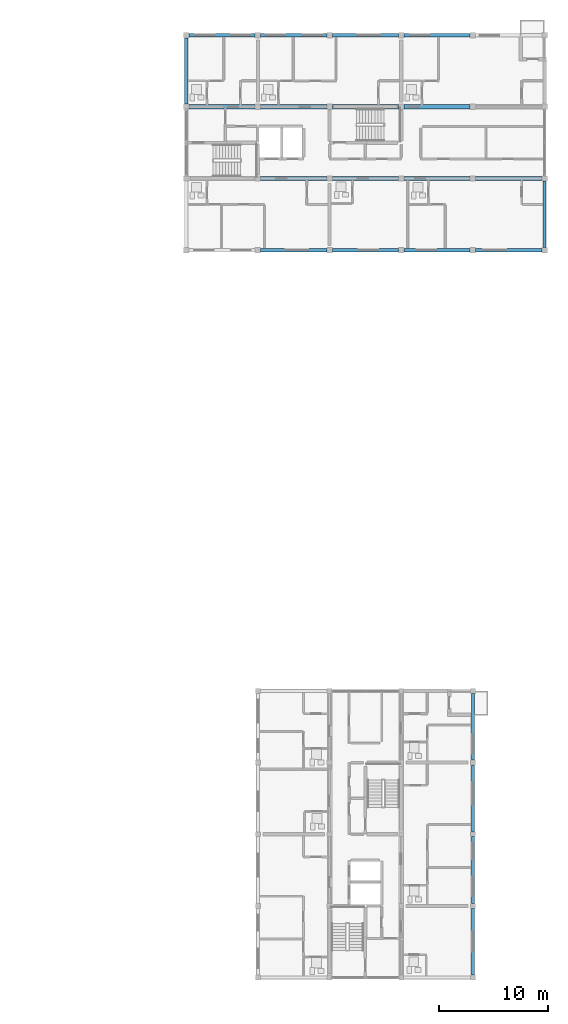
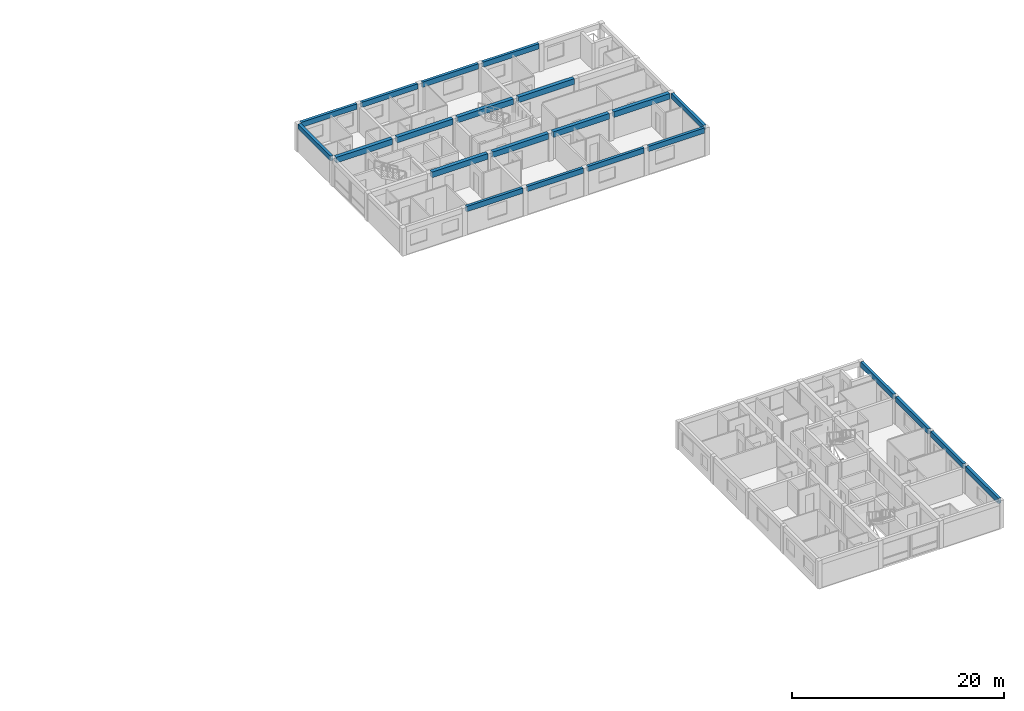
# One storey, part 20 of 45: 22 beams.
"""IFC4 building model written with IfcOpenShell, lengths in metres."""

from ifc_helpers import new_model, si_unit, direction, frame, origin, origin_2d, place, context, subcontext, project, spatial, rectangle, extrude, material, material_profile, profile_set, type_object, element, save


model = new_model("IFC4")

# Units and contexts
model_context = context("Model", 3, precision=1e-05, world=origin(), true_north=direction((0.0, 1.0)))
body_context = subcontext(model_context, "Body", "Model", "MODEL_VIEW")
ifc_project = project(units=[si_unit("LENGTHUNIT", "METRE"), si_unit("AREAUNIT", "SQUARE_METRE"), si_unit("VOLUMEUNIT", "CUBIC_METRE"), si_unit("PLANEANGLEUNIT", "RADIAN"), si_unit("MASSUNIT", "GRAM", prefix="KILO")], contexts=[model_context])

# Site, building, storey
site_placement = place(None, origin())
site = spatial("IfcSite", under=ifc_project, at=site_placement, CompositionType="ELEMENT")
building_placement = place(site_placement, origin())
building = spatial("IfcBuilding", under=site, at=building_placement, Name="Kernevlak Ridge Housing Community", CompositionType="ELEMENT")
storey_placement = place(building_placement, frame((0.0, 0.0, 21.199951171875)))
storey = spatial("IfcBuildingStorey", under=building, at=storey_placement, Name="L06", CompositionType="ELEMENT", Elevation=21.199951171875)

# Beams
ifc_material = material(Name="Concrete C35/45", Category="concrete")
ifc_material_profile_1 = material_profile(ifc_material, rectangle(XDim=0.39990234375, YDim=0.64990234375, at=origin_2d()), Name="RC 400x650")
ifc_profile_set_1 = profile_set([ifc_material_profile_1], Name="Concrete C35/45")
beam_type_1 = type_object("IfcBeamType", Name="B-03", PredefinedType="T_BEAM", material=ifc_profile_set_1)
beam_1_placement = place(storey_placement, frame((126.25, 89.199951171875, 2.875), z_axis=(1.0, 0.0, 0.0), x_axis=(0.0, 1.0, 0.0)))
element("IfcBeam", 1, at=beam_1_placement, inside=storey, type_object=beam_type_1, Name="Beam B-03 L06 739", PredefinedType="T_BEAM", context=body_context, shape_type="SweptSolid", body=[
    extrude(rectangle(XDim=0.39990234375, YDim=0.64990234375, at=origin_2d()), origin(), (0.0, 0.0, 1.0), 6.10009765625),
])
beam_2_placement = place(storey_placement, frame((132.85009765625, 89.199951171875, 2.875), z_axis=(1.0, 0.0, 0.0), x_axis=(0.0, 1.0, 0.0)))
element("IfcBeam", 2, at=beam_2_placement, inside=storey, type_object=beam_type_1, Name="Beam B-03 L06 740", PredefinedType="T_BEAM", context=body_context, shape_type="SweptSolid", body=[
    extrude(rectangle(XDim=0.39990234375, YDim=0.64990234375, at=origin_2d()), origin(), (0.0, 0.0, 1.0), 6.099853515625),
])
beam_3_placement = place(storey_placement, frame((139.449951171875, 89.199951171875, 2.875), z_axis=(1.0, 0.0, 0.0), x_axis=(0.0, 1.0, 0.0)))
element("IfcBeam", 3, at=beam_3_placement, inside=storey, type_object=beam_type_1, Name="Beam B-03 L06 741", PredefinedType="T_BEAM", context=body_context, shape_type="SweptSolid", body=[
    extrude(rectangle(XDim=0.39990234375, YDim=0.64990234375, at=origin_2d()), origin(), (0.0, 0.0, 1.0), 6.10009765625),
])
beam_4_placement = place(storey_placement, frame((146.050048828125, 89.199951171875, 2.875), z_axis=(1.0, 0.0, 0.0), x_axis=(0.0, 1.0, 0.0)))
element("IfcBeam", 4, at=beam_4_placement, inside=storey, type_object=beam_type_1, Name="Beam B-03 L06 742", PredefinedType="T_BEAM", context=body_context, shape_type="SweptSolid", body=[
    extrude(rectangle(XDim=0.39990234375, YDim=0.64990234375, at=origin_2d()), origin(), (0.0, 0.0, 1.0), 6.099853515625),
])
for number, where, z_axis, x_axis, name in (
    (5, (119.64990234375, 95.800048828125, 2.875), (1.0, 0.0, 0.0), (0.0, 1.0, 0.0), "Beam B-03 L06 743"),
    (6, (126.25, 95.800048828125, 2.875), (1.0, 0.0, 0.0), (0.0, 1.0, 0.0), "Beam B-03 L06 744"),
):
    element("IfcBeam", number, at=place(storey_placement, frame(where, z_axis=z_axis, x_axis=x_axis)), inside=storey, type_object=beam_type_1, Name=name, PredefinedType="T_BEAM", context=body_context, shape_type="SweptSolid", body=[
        extrude(rectangle(XDim=0.39990234375, YDim=0.64990234375, at=origin_2d()), origin(), (0.0, 0.0, 1.0), 6.10009765625),
    ])
beam_5_placement = place(storey_placement, frame((132.85009765625, 95.800048828125, 2.875), z_axis=(1.0, 0.0, 0.0), x_axis=(0.0, 1.0, 0.0)))
element("IfcBeam", 7, at=beam_5_placement, inside=storey, type_object=beam_type_1, Name="Beam B-03 L06 745", PredefinedType="T_BEAM", context=body_context, shape_type="SweptSolid", body=[
    extrude(rectangle(XDim=0.39990234375, YDim=0.64990234375, at=origin_2d()), origin(), (0.0, 0.0, 1.0), 6.099853515625),
])
beam_6_placement = place(storey_placement, frame((139.449951171875, 95.800048828125, 2.875), z_axis=(1.0, 0.0, 0.0), x_axis=(0.0, 1.0, 0.0)))
element("IfcBeam", 8, at=beam_6_placement, inside=storey, type_object=beam_type_1, Name="Beam B-03 L06 746", PredefinedType="T_BEAM", context=body_context, shape_type="SweptSolid", body=[
    extrude(rectangle(XDim=0.39990234375, YDim=0.64990234375, at=origin_2d()), origin(), (0.0, 0.0, 1.0), 6.10009765625),
])
ifc_material_profile_2 = material_profile(ifc_material, rectangle(XDim=0.300048828125, YDim=0.550048828125, at=origin_2d()), Name="RC 300x550")
ifc_profile_set_2 = profile_set([ifc_material_profile_2], Name="Concrete C35/45")
beam_type_2 = type_object("IfcBeamType", Name="SP-01", PredefinedType="SPANDREL", material=ifc_profile_set_2)
for number, where, z_axis, x_axis, name in (
    (9, (119.39990234375, 96.050048828125, 2.925048828125), (0.0, 1.0, 0.0), (-1.0, 0.0, 0.0), "Beam SP-01 L06 755"),
    (10, (152.39990234375, 82.85009765625, 2.925048828125), (0.0, 1.0, 0.0), (-1.0, 0.0, 0.0), "Beam SP-01 L06 756"),
):
    element("IfcBeam", number, at=place(storey_placement, frame(where, z_axis=z_axis, x_axis=x_axis)), inside=storey, type_object=beam_type_2, Name=name, PredefinedType="SPANDREL", context=body_context, shape_type="SweptSolid", body=[
        extrude(rectangle(XDim=0.300048828125, YDim=0.550048828125, at=origin_2d()), origin(), (0.0, 0.0, 1.0), 6.099853515625),
    ])
ifc_material_profile_3 = material_profile(ifc_material, rectangle(XDim=0.300048828125, YDim=0.60009765625, at=origin_2d()), Name="RC 300x600")
ifc_profile_set_3 = profile_set([ifc_material_profile_3], Name="Concrete C35/45")
beam_type_3 = type_object("IfcBeamType", Name="SP-02", PredefinedType="SPANDREL", material=ifc_profile_set_3)
beam_7_placement = place(storey_placement, frame((126.25, 82.60009765625, 2.900146484375), z_axis=(1.0, 0.0, 0.0), x_axis=(0.0, 1.0, 0.0)))
element("IfcBeam", 11, at=beam_7_placement, inside=storey, type_object=beam_type_3, Name="Beam SP-02 L06 734", PredefinedType="SPANDREL", context=body_context, shape_type="SweptSolid", body=[
    extrude(rectangle(XDim=0.300048828125, YDim=0.60009765625, at=origin_2d()), origin(), (0.0, 0.0, 1.0), 6.10009765625),
])
beam_8_placement = place(storey_placement, frame((132.85009765625, 82.60009765625, 2.900146484375), z_axis=(1.0, 0.0, 0.0), x_axis=(0.0, 1.0, 0.0)))
element("IfcBeam", 12, at=beam_8_placement, inside=storey, type_object=beam_type_3, Name="Beam SP-02 L06 735", PredefinedType="SPANDREL", context=body_context, shape_type="SweptSolid", body=[
    extrude(rectangle(XDim=0.300048828125, YDim=0.60009765625, at=origin_2d()), origin(), (0.0, 0.0, 1.0), 6.099853515625),
])
beam_9_placement = place(storey_placement, frame((139.449951171875, 82.60009765625, 2.900146484375), z_axis=(1.0, 0.0, 0.0), x_axis=(0.0, 1.0, 0.0)))
element("IfcBeam", 13, at=beam_9_placement, inside=storey, type_object=beam_type_3, Name="Beam SP-02 L06 736", PredefinedType="SPANDREL", context=body_context, shape_type="SweptSolid", body=[
    extrude(rectangle(XDim=0.300048828125, YDim=0.60009765625, at=origin_2d()), origin(), (0.0, 0.0, 1.0), 6.10009765625),
])
beam_10_placement = place(storey_placement, frame((146.050048828125, 82.60009765625, 2.900146484375), z_axis=(1.0, 0.0, 0.0), x_axis=(0.0, 1.0, 0.0)))
element("IfcBeam", 14, at=beam_10_placement, inside=storey, type_object=beam_type_3, Name="Beam SP-02 L06 737", PredefinedType="SPANDREL", context=body_context, shape_type="SweptSolid", body=[
    extrude(rectangle(XDim=0.300048828125, YDim=0.60009765625, at=origin_2d()), origin(), (0.0, 0.0, 1.0), 6.099853515625),
])
for number, where, z_axis, x_axis, name in (
    (15, (119.64990234375, 102.39990234375, 2.900146484375), (1.0, 0.0, 0.0), (0.0, 1.0, 0.0), "Beam SP-02 L06 748"),
    (16, (126.25, 102.39990234375, 2.900146484375), (1.0, 0.0, 0.0), (0.0, 1.0, 0.0), "Beam SP-02 L06 749"),
):
    element("IfcBeam", number, at=place(storey_placement, frame(where, z_axis=z_axis, x_axis=x_axis)), inside=storey, type_object=beam_type_3, Name=name, PredefinedType="SPANDREL", context=body_context, shape_type="SweptSolid", body=[
        extrude(rectangle(XDim=0.300048828125, YDim=0.60009765625, at=origin_2d()), origin(), (0.0, 0.0, 1.0), 6.10009765625),
    ])
beam_11_placement = place(storey_placement, frame((132.85009765625, 102.39990234375, 2.900146484375), z_axis=(1.0, 0.0, 0.0), x_axis=(0.0, 1.0, 0.0)))
element("IfcBeam", 17, at=beam_11_placement, inside=storey, type_object=beam_type_3, Name="Beam SP-02 L06 750", PredefinedType="SPANDREL", context=body_context, shape_type="SweptSolid", body=[
    extrude(rectangle(XDim=0.300048828125, YDim=0.60009765625, at=origin_2d()), origin(), (0.0, 0.0, 1.0), 6.099853515625),
])
beam_12_placement = place(storey_placement, frame((139.449951171875, 102.39990234375, 2.900146484375), z_axis=(1.0, 0.0, 0.0), x_axis=(0.0, 1.0, 0.0)))
element("IfcBeam", 18, at=beam_12_placement, inside=storey, type_object=beam_type_3, Name="Beam SP-02 L06 751", PredefinedType="SPANDREL", context=body_context, shape_type="SweptSolid", body=[
    extrude(rectangle(XDim=0.300048828125, YDim=0.60009765625, at=origin_2d()), origin(), (0.0, 0.0, 1.0), 6.10009765625),
])
beam_13_placement = place(storey_placement, frame((145.800048828125, 15.824951171875, 2.900146484375), z_axis=(0.0, 1.0, 0.0), x_axis=(-1.0, 0.0, 0.0)))
element("IfcBeam", 19, at=beam_13_placement, inside=storey, type_object=beam_type_3, Name="Beam SP-02 L06 1146", PredefinedType="SPANDREL", context=body_context, shape_type="SweptSolid", body=[
    extrude(rectangle(XDim=0.300048828125, YDim=0.60009765625, at=origin_2d()), origin(), (0.0, 0.0, 1.0), 6.150146484375),
])
beam_14_placement = place(storey_placement, frame((145.800048828125, 22.425048828125, 2.900146484375), z_axis=(0.0, 1.0, 0.0), x_axis=(-1.0, 0.0, 0.0)))
element("IfcBeam", 20, at=beam_14_placement, inside=storey, type_object=beam_type_3, Name="Beam SP-02 L06 1147", PredefinedType="SPANDREL", context=body_context, shape_type="SweptSolid", body=[
    extrude(rectangle(XDim=0.300048828125, YDim=0.60009765625, at=origin_2d()), origin(), (0.0, 0.0, 1.0), 6.14990234375),
])
beam_15_placement = place(storey_placement, frame((145.800048828125, 29.02490234375, 2.900146484375), z_axis=(0.0, 1.0, 0.0), x_axis=(-1.0, 0.0, 0.0)))
element("IfcBeam", 21, at=beam_15_placement, inside=storey, type_object=beam_type_3, Name="Beam SP-02 L06 1148", PredefinedType="SPANDREL", context=body_context, shape_type="SweptSolid", body=[
    extrude(rectangle(XDim=0.300048828125, YDim=0.60009765625, at=origin_2d()), origin(), (0.0, 0.0, 1.0), 6.150146484375),
])
beam_16_placement = place(storey_placement, frame((145.800048828125, 35.625, 2.900146484375), z_axis=(0.0, 1.0, 0.0), x_axis=(-1.0, 0.0, 0.0)))
element("IfcBeam", 22, at=beam_16_placement, inside=storey, type_object=beam_type_3, Name="Beam SP-02 L06 1149", PredefinedType="SPANDREL", context=body_context, shape_type="SweptSolid", body=[
    extrude(rectangle(XDim=0.300048828125, YDim=0.60009765625, at=origin_2d()), origin(), (0.0, 0.0, 1.0), 6.14990234375),
])

save(model, "model.ifc")
